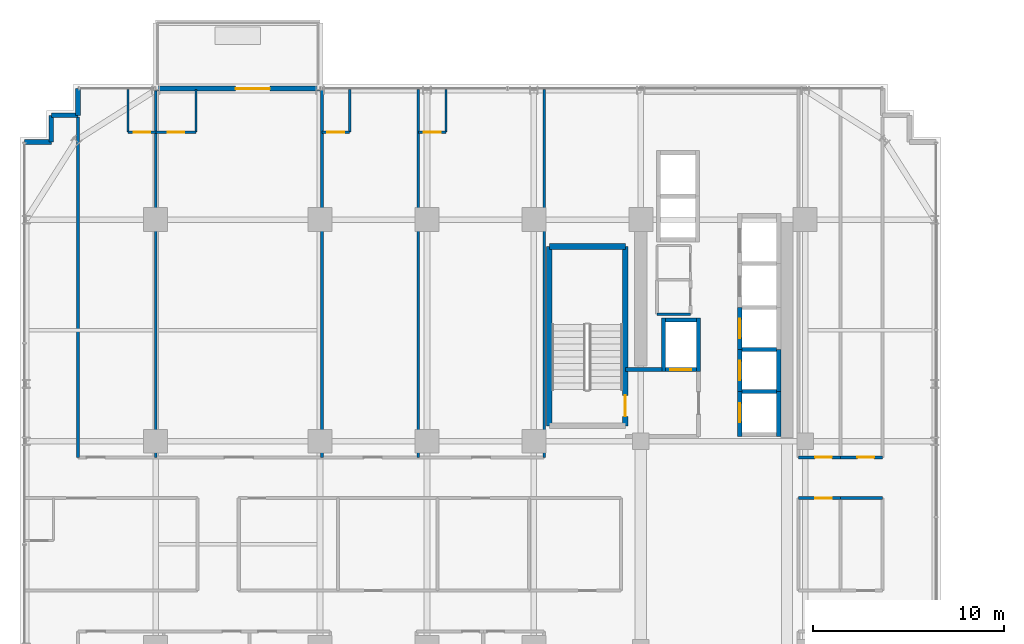
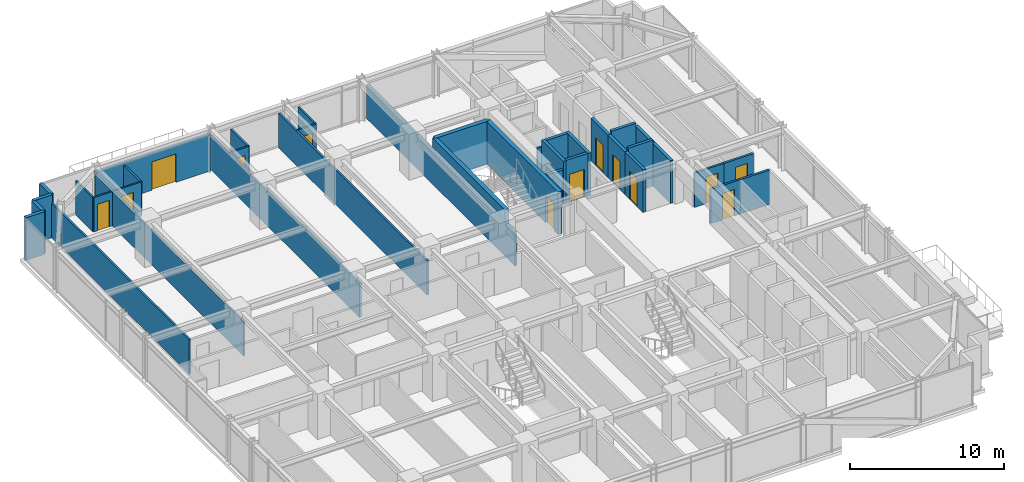
# One storey, part 29 of 34: 38 walls, 13 doors, 13 openings.
"""IFC4 building model written with IfcOpenShell, lengths in metres."""

from ifc_helpers import new_model, si_unit, direction, frame, frame_2d, origin, place, context, subcontext, project, spatial, rectangle, extrude, source, transform, mapped, material, layer, layer_set, type_object, element, fill, save


model = new_model("IFC4")

# Units and contexts
model_context = context("Model", 3, precision=1e-05, world=origin(), true_north=direction((0.0, 1.0)))
body_context = subcontext(model_context, "Body", "Model", "MODEL_VIEW")
ifc_project = project(units=[si_unit("LENGTHUNIT", "METRE"), si_unit("AREAUNIT", "SQUARE_METRE"), si_unit("VOLUMEUNIT", "CUBIC_METRE"), si_unit("PLANEANGLEUNIT", "RADIAN"), si_unit("MASSUNIT", "GRAM", prefix="KILO")], contexts=[model_context])

# Site, building, storey
site_placement = place(None, origin())
site = spatial("IfcSite", under=ifc_project, at=site_placement, CompositionType="ELEMENT")
building_placement = place(site_placement, origin())
building = spatial("IfcBuilding", under=site, at=building_placement, Name="Nahalor Promenade Grand Hotel", CompositionType="ELEMENT")
storey_placement = place(building_placement, frame((0.0, 0.0, 128.449951171875)))
storey = spatial("IfcBuildingStorey", under=building, at=storey_placement, Name="L32", CompositionType="ELEMENT", Elevation=128.449951171875)

# Walls
ifc_material_1 = material(Name="Concrete B-50 (C40/50)", Category="concrete")
ifc_layer_1 = layer(ifc_material_1, 0.300048828125)
ifc_layer_set_1 = layer_set([ifc_layer_1], Name="Concrete B-50 (C40/50)")
wall_type_1 = type_object("IfcWallType", Name="Wall-ShaftShear-300", PredefinedType="SHEAR", material=ifc_layer_set_1)
shared_shape_1 = source(origin(), body_context, "Body", "SweptSolid", [
    extrude(rectangle(XDim=3.97998046875, YDim=0.300048828125, at=frame_2d((1.989990234375, 0.0))), origin(), (0.0, 0.0, 1.0), 3.380126953125),
])
wall_1_placement = place(storey_placement, frame((3.610107421875, 15.590087890625, 0.0), z_axis=(0.0, 0.0, 1.0), x_axis=(1.0, 0.0, 0.0)))
element("IfcWall", 1, at=wall_1_placement, inside=storey, type_object=wall_type_1, Name="L32 Exit Stair ST1 Shaft Wall N", PredefinedType="SHEAR", context=body_context, shape_type="MappedRepresentation", body=[
    mapped(shared_shape_1, transform((0.0, 0.0, 0.0), scale=1.0)),
])
shared_shape_2 = source(origin(), body_context, "Body", "SweptSolid", [
    extrude(rectangle(XDim=9.380126953125, YDim=0.300048828125, at=frame_2d((4.68994140625, 0.0))), origin(), (0.0, 0.0, 1.0), 3.380126953125),
])
wall_2_placement = place(storey_placement, frame((3.610107421875, 6.2099609375, 0.0), z_axis=(0.0, 0.0, 1.0), x_axis=(0.0, 1.0, 0.0)))
element("IfcWall", 2, at=wall_2_placement, inside=storey, type_object=wall_type_1, Name="L32 Exit Stair ST1 Shaft Wall W", PredefinedType="SHEAR", context=body_context, shape_type="MappedRepresentation", body=[
    mapped(shared_shape_2, transform((0.0, 0.0, 0.0), scale=1.0)),
])

# Wall, opening, door
wall_3_placement = place(storey_placement, frame((7.590087890625, 6.2099609375, 0.0), z_axis=(0.0, 0.0, 1.0), x_axis=(0.0, 1.0, 0.0)))
wall_3 = element("IfcWall", 3, at=wall_3_placement, inside=storey, type_object=wall_type_1, Name="L32 Exit Stair ST1 Shaft Wall E", PredefinedType="SHEAR", context=body_context, shape_type="MappedRepresentation", body=[
    mapped(shared_shape_2, transform((0.0, 0.0, 0.0), scale=1.0)),
])
opening_1_placement = place(wall_3_placement, frame((0.489990234375, 0.0, 0.0)))
opening_1 = element("IfcOpeningElement", 4, at=opening_1_placement, cuts=wall_3, Name="Opening D-ST1", PredefinedType="OPENING", context=body_context, shape_type="SweptSolid", body=[
    extrude(rectangle(XDim=1.10009765625, YDim=2.14990234375, at=frame_2d((0.550048828125, 1.074951171875))), frame((0.0, 0.159912109375, 0.0), z_axis=(0.0, -1.0, 0.0), x_axis=(1.0, 0.0, 0.0)), (0.0, 0.0, 1.0), 0.320068359375),
])
ifc_material_2 = material(Name="Steel S355JR", Category="steel")
door_type_1 = type_object("IfcDoorType", Name="Door-StairFire-1100", OperationType="NOTDEFINED", PredefinedType="DOOR", material=ifc_material_2)
shared_shape_3 = source(origin(), body_context, "Body", "SweptSolid", [
    extrude(rectangle(XDim=1.10009765625, YDim=2.14990234375, at=frame_2d((0.550048828125, 1.074951171875))), frame((0.0, 0.02490234375, 0.0), z_axis=(0.0, -1.0, 0.0), x_axis=(1.0, 0.0, 0.0)), (0.0, 0.0, 1.0), 0.050048828125),
])
door_1_placement = place(opening_1_placement, origin())
door_1 = element("IfcDoor", 5, at=door_1_placement, inside=storey, type_object=door_type_1, Name="DR-STAIR-ST1-L32", OperationType="SINGLE_SWING_LEFT", OverallHeight=2.14990234375, OverallWidth=1.10009765625, PredefinedType="DOOR", context=body_context, shape_type="MappedRepresentation", body=[
    mapped(shared_shape_3, transform((0.0, 0.0, 0.0), scale=1.0)),
])
fill(opening_1, door_1)

# Walls
ifc_layer_2 = layer(ifc_material_1, 0.219970703125)
ifc_layer_set_2 = layer_set([ifc_layer_2], Name="Concrete B-50 (C40/50)")
wall_type_2 = type_object("IfcWallType", Name="Wall-LiftShaft-220", PredefinedType="SHEAR", material=ifc_layer_set_2)
shared_shape_4 = source(origin(), body_context, "Body", "SweptSolid", [
    extrude(rectangle(XDim=1.820068359375, YDim=0.219970703125, at=frame_2d((0.91015625, 0.0))), origin(), (0.0, 0.0, 1.0), 3.650146484375),
])
for number, where, z_axis, x_axis, name in (
    (6, (13.68994140625, 8.0, 0.0), (0.0, 0.0, 1.0), (1.0, 0.0, 0.0), "L32 Lift PL1 Hoistway Wall N"),
    (7, (13.68994140625, 10.199951171875, 0.0), (0.0, 0.0, 1.0), (1.0, 0.0, 0.0), "L32 Lift PL2 Hoistway Wall N"),
):
    element("IfcWall", number, at=place(storey_placement, frame(where, z_axis=z_axis, x_axis=x_axis)), inside=storey, type_object=wall_type_2, Name=name, PredefinedType="SHEAR", context=body_context, shape_type="MappedRepresentation", body=[
        mapped(shared_shape_4, transform((0.0, 0.0, 0.0), scale=1.0)),
    ])

# Wall, opening, door
shared_shape_5 = source(origin(), body_context, "Body", "SweptSolid", [
    extrude(rectangle(XDim=2.360107421875, YDim=0.219970703125, at=frame_2d((1.18017578125, 0.0))), origin(), (0.0, 0.0, 1.0), 3.380126953125),
])
wall_4_placement = place(storey_placement, frame((13.580078125, 5.639892578125, 0.0), z_axis=(0.0, 0.0, 1.0), x_axis=(0.0, 1.0, 0.0)))
wall_4 = element("IfcWall", 8, at=wall_4_placement, inside=storey, type_object=wall_type_2, Name="L32 Lift PL1 Hoistway Wall W", PredefinedType="SHEAR", context=body_context, shape_type="MappedRepresentation", body=[
    mapped(shared_shape_5, transform((0.0, 0.0, 0.0), scale=1.0)),
])
opening_2_placement = place(wall_4_placement, frame((0.760009765625, 0.0, 0.0)))
opening_2 = element("IfcOpeningElement", 9, at=opening_2_placement, cuts=wall_4, Name="Opening LD-01", PredefinedType="OPENING", context=body_context, shape_type="SweptSolid", body=[
    extrude(rectangle(XDim=1.0, YDim=2.199951171875, at=frame_2d((0.5, 1.10009765625))), frame((0.0, 0.119873046875, 0.0), z_axis=(0.0, -1.0, 0.0), x_axis=(1.0, 0.0, 0.0)), (0.0, 0.0, 1.0), 0.239990234375),
])
door_type_2 = type_object("IfcDoorType", Name="Door-LiftLanding-1000", OperationType="DOUBLE_DOOR_SLIDING", PredefinedType="DOOR", material=ifc_material_2)
shared_shape_6 = source(origin(), body_context, "Body", "SweptSolid", [
    extrude(rectangle(XDim=1.0, YDim=2.199951171875, at=frame_2d((0.5, 1.10009765625))), frame((0.0, 0.02490234375, 0.0), z_axis=(0.0, -1.0, 0.0), x_axis=(1.0, 0.0, 0.0)), (0.0, 0.0, 1.0), 0.050048828125),
])
door_2_placement = place(opening_2_placement, origin())
door_2 = element("IfcDoor", 10, at=door_2_placement, inside=storey, type_object=door_type_2, Name="DR-LIFT-PL1-L32", OperationType="DOUBLE_DOOR_SLIDING", OverallHeight=2.199951171875, OverallWidth=1.0, PredefinedType="DOOR", context=body_context, shape_type="MappedRepresentation", body=[
    mapped(shared_shape_6, transform((0.0, 0.0, 0.0), scale=1.0)),
])
fill(opening_2, door_2)

# Wall
wall_5_placement = place(storey_placement, frame((15.6201171875, 5.639892578125, 0.0), z_axis=(0.0, 0.0, 1.0), x_axis=(0.0, 1.0, 0.0)))
element("IfcWall", 11, at=wall_5_placement, inside=storey, type_object=wall_type_2, Name="L32 Lift PL1 Hoistway Wall E", PredefinedType="SHEAR", context=body_context, shape_type="MappedRepresentation", body=[
    mapped(shared_shape_5, transform((0.0, 0.0, 0.0), scale=1.0)),
])

# Wall, opening, door
shared_shape_7 = source(origin(), body_context, "Body", "SweptSolid", [
    extrude(rectangle(XDim=2.199951171875, YDim=0.219970703125, at=frame_2d((1.10009765625, 0.0))), origin(), (0.0, 0.0, 1.0), 3.380126953125),
])
wall_6_placement = place(storey_placement, frame((13.580078125, 8.0, 0.0), z_axis=(0.0, 0.0, 1.0), x_axis=(0.0, 1.0, 0.0)))
wall_6 = element("IfcWall", 12, at=wall_6_placement, inside=storey, type_object=wall_type_2, Name="L32 Lift PL2 Hoistway Wall W", PredefinedType="SHEAR", context=body_context, shape_type="MappedRepresentation", body=[
    mapped(shared_shape_7, transform((0.0, 0.0, 0.0), scale=1.0)),
])
opening_3_placement = place(wall_6_placement, frame((0.60009765625, 0.0, 0.0)))
opening_3 = element("IfcOpeningElement", 13, at=opening_3_placement, cuts=wall_6, Name="Opening LD-01", PredefinedType="OPENING", context=body_context, shape_type="SweptSolid", body=[
    extrude(rectangle(XDim=1.0, YDim=2.199951171875, at=frame_2d((0.5, 1.10009765625))), frame((0.0, 0.119873046875, 0.0), z_axis=(0.0, -1.0, 0.0), x_axis=(1.0, 0.0, 0.0)), (0.0, 0.0, 1.0), 0.239990234375),
])
door_3_placement = place(opening_3_placement, origin())
door_3 = element("IfcDoor", 14, at=door_3_placement, inside=storey, type_object=door_type_2, Name="DR-LIFT-PL2-L32", OperationType="DOUBLE_DOOR_SLIDING", OverallHeight=2.199951171875, OverallWidth=1.0, PredefinedType="DOOR", context=body_context, shape_type="MappedRepresentation", body=[
    mapped(shared_shape_6, transform((0.0, 0.0, 0.0), scale=1.0)),
])
fill(opening_3, door_3)

# Wall
wall_7_placement = place(storey_placement, frame((15.6201171875, 8.0, 0.0), z_axis=(0.0, 0.0, 1.0), x_axis=(0.0, 1.0, 0.0)))
element("IfcWall", 15, at=wall_7_placement, inside=storey, type_object=wall_type_2, Name="L32 Lift PL2 Hoistway Wall E", PredefinedType="SHEAR", context=body_context, shape_type="MappedRepresentation", body=[
    mapped(shared_shape_7, transform((0.0, 0.0, 0.0), scale=1.0)),
])

# Wall, opening, door
wall_8_placement = place(storey_placement, frame((13.580078125, 10.199951171875, 0.0), z_axis=(0.0, 0.0, 1.0), x_axis=(0.0, 1.0, 0.0)))
wall_8 = element("IfcWall", 16, at=wall_8_placement, inside=storey, type_object=wall_type_2, Name="L32 Lift PL3 Hoistway Wall W", PredefinedType="SHEAR", context=body_context, shape_type="MappedRepresentation", body=[
    mapped(shared_shape_7, transform((0.0, 0.0, 0.0), scale=1.0)),
])
opening_4_placement = place(wall_8_placement, frame((0.60009765625, 0.0, 0.0)))
opening_4 = element("IfcOpeningElement", 17, at=opening_4_placement, cuts=wall_8, Name="Opening LD-01", PredefinedType="OPENING", context=body_context, shape_type="SweptSolid", body=[
    extrude(rectangle(XDim=1.0, YDim=2.199951171875, at=frame_2d((0.5, 1.10009765625))), frame((0.0, 0.119873046875, 0.0), z_axis=(0.0, -1.0, 0.0), x_axis=(1.0, 0.0, 0.0)), (0.0, 0.0, 1.0), 0.239990234375),
])
door_4_placement = place(opening_4_placement, origin())
door_4 = element("IfcDoor", 18, at=door_4_placement, inside=storey, type_object=door_type_2, Name="DR-LIFT-PL3-L32", OperationType="DOUBLE_DOOR_SLIDING", OverallHeight=2.199951171875, OverallWidth=1.0, PredefinedType="DOOR", context=body_context, shape_type="MappedRepresentation", body=[
    mapped(shared_shape_6, transform((0.0, 0.0, 0.0), scale=1.0)),
])
fill(opening_4, door_4)

# Walls
shared_shape_8 = source(origin(), body_context, "Body", "SweptSolid", [
    extrude(rectangle(XDim=2.820068359375, YDim=0.219970703125, at=frame_2d((1.41015625, 0.0))), origin(), (0.0, 0.0, 1.0), 3.380126953125),
])
for number, where, z_axis, x_axis, name in (
    (19, (9.580078125, 9.0400390625, 0.0), (0.0, 0.0, 1.0), (0.0, 1.0, 0.0), "L32 Lift FL1 Hoistway Wall W"),
    (20, (11.419921875, 9.0400390625, 0.0), (0.0, 0.0, 1.0), (0.0, 1.0, 0.0), "L32 Lift FL1 Hoistway Wall E"),
):
    element("IfcWall", number, at=place(storey_placement, frame(where, z_axis=z_axis, x_axis=x_axis)), inside=storey, type_object=wall_type_2, Name=name, PredefinedType="SHEAR", context=body_context, shape_type="MappedRepresentation", body=[
        mapped(shared_shape_8, transform((0.0, 0.0, 0.0), scale=1.0)),
    ])

# Wall, opening, door
shared_shape_9 = source(origin(), body_context, "Body", "SweptSolid", [
    extrude(rectangle(XDim=1.6201171875, YDim=0.219970703125, at=frame_2d((0.81005859375, 0.0))), origin(), (0.0, 0.0, 1.0), 3.380126953125),
])
wall_9_placement = place(storey_placement, frame((9.68994140625, 9.14990234375, 0.0), z_axis=(0.0, 0.0, 1.0), x_axis=(1.0, 0.0, 0.0)))
wall_9 = element("IfcWall", 21, at=wall_9_placement, inside=storey, type_object=wall_type_2, Name="L32 Lift FL1 Hoistway Wall S", PredefinedType="SHEAR", context=body_context, shape_type="MappedRepresentation", body=[
    mapped(shared_shape_9, transform((0.0, 0.0, 0.0), scale=1.0)),
])
opening_5_placement = place(wall_9_placement, frame((0.260009765625, 0.0, 0.0)))
opening_5 = element("IfcOpeningElement", 22, at=opening_5_placement, cuts=wall_9, Name="Opening LD-02", PredefinedType="OPENING", context=body_context, shape_type="SweptSolid", body=[
    extrude(rectangle(XDim=1.10009765625, YDim=2.199951171875, at=frame_2d((0.550048828125, 1.10009765625))), frame((0.0, 0.119873046875, 0.0), z_axis=(0.0, -1.0, 0.0), x_axis=(1.0, 0.0, 0.0)), (0.0, 0.0, 1.0), 0.239990234375),
])
door_type_3 = type_object("IfcDoorType", Name="Door-LiftFF-1100", OperationType="DOUBLE_DOOR_SLIDING", PredefinedType="DOOR", material=ifc_material_2)
shared_shape_10 = source(origin(), body_context, "Body", "SweptSolid", [
    extrude(rectangle(XDim=1.10009765625, YDim=2.199951171875, at=frame_2d((0.550048828125, 1.10009765625))), frame((0.0, 0.02490234375, 0.0), z_axis=(0.0, -1.0, 0.0), x_axis=(1.0, 0.0, 0.0)), (0.0, 0.0, 1.0), 0.050048828125),
])
door_5_placement = place(opening_5_placement, frame((1.10009765625, 0.0, 0.0), z_axis=(0.0, 0.0, 1.0), x_axis=(-1.0, 0.0, 0.0)))
door_5 = element("IfcDoor", 23, at=door_5_placement, inside=storey, type_object=door_type_3, Name="DR-LIFT-FL1-L32", OperationType="DOUBLE_DOOR_SLIDING", OverallHeight=2.199951171875, OverallWidth=1.10009765625, PredefinedType="DOOR", context=body_context, shape_type="MappedRepresentation", body=[
    mapped(shared_shape_10, transform((0.0, 0.0, 0.0), scale=1.0)),
])
fill(opening_5, door_5)

# Walls
wall_10_placement = place(storey_placement, frame((9.68994140625, 11.75, 0.0), z_axis=(0.0, 0.0, 1.0), x_axis=(1.0, 0.0, 0.0)))
element("IfcWall", 24, at=wall_10_placement, inside=storey, type_object=wall_type_2, Name="L32 Lift FL1 Hoistway Wall N", PredefinedType="SHEAR", context=body_context, shape_type="MappedRepresentation", body=[
    mapped(shared_shape_9, transform((0.0, 0.0, 0.0), scale=1.0)),
])
ifc_material_3 = material(Name="Concrete B-40 (C32/40)", Category="concrete")
ifc_layer_3 = layer(ifc_material_3, 0.25)
ifc_layer_set_3 = layer_set([ifc_layer_3], Name="Concrete B-40 (C32/40)")
wall_type_3 = type_object("IfcWallType", Name="Wall-BronzePier-250", PredefinedType="STANDARD", material=ifc_layer_set_3)
shared_shape_11 = source(origin(), body_context, "Body", "SweptSolid", [
    extrude(rectangle(XDim=1.400146484375, YDim=0.25, at=frame_2d((0.7001953125, 0.0))), origin(), (0.0, 0.0, 1.0), 3.380126953125),
])
for number, where, z_axis, x_axis, name in (
    (25, (-21.06005859375, 22.4599609375, 0.0), (0.0, 0.0, 1.0), (0.0, 1.0, 0.0), "W-L32-SR-09"),
    (26, (-23.860107421875, 21.06005859375, 0.0), (0.0, 0.0, 1.0), (1.0, 0.0, 0.0), "W-L32-SR-12"),
):
    element("IfcWall", number, at=place(storey_placement, frame(where, z_axis=z_axis, x_axis=x_axis)), inside=storey, type_object=wall_type_3, Name=name, PredefinedType="STANDARD", context=body_context, shape_type="MappedRepresentation", body=[
        mapped(shared_shape_11, transform((0.0, 0.0, 0.0), scale=1.0)),
    ])
shared_shape_12 = source(origin(), body_context, "Body", "SweptSolid", [
    extrude(rectangle(XDim=1.39990234375, YDim=0.25, at=frame_2d((0.699951171875, 0.0))), origin(), (0.0, 0.0, 1.0), 3.380126953125),
])
for number, where, z_axis, x_axis, name in (
    (27, (-22.4599609375, 22.4599609375, 0.0), (0.0, 0.0, 1.0), (1.0, 0.0, 0.0), "W-L32-SR-10"),
    (28, (-22.4599609375, 21.06005859375, 0.0), (0.0, 0.0, 1.0), (0.0, 1.0, 0.0), "W-L32-SR-11"),
):
    element("IfcWall", number, at=place(storey_placement, frame(where, z_axis=z_axis, x_axis=x_axis)), inside=storey, type_object=wall_type_3, Name=name, PredefinedType="STANDARD", context=body_context, shape_type="MappedRepresentation", body=[
        mapped(shared_shape_12, transform((0.0, 0.0, 0.0), scale=1.0)),
    ])

# Wall, opening, door
ifc_layer_4 = layer(ifc_material_3, 0.260009765625)
ifc_layer_set_4 = layer_set([ifc_layer_4], Name="Concrete B-40 (C32/40)")
wall_type_4 = type_object("IfcWallType", Name="Wall-BalconyWall-260", PredefinedType="STANDARD", material=ifc_layer_set_4)
shared_shape_13 = source(origin(), body_context, "Body", "SweptSolid", [
    extrude(rectangle(XDim=8.60009765625, YDim=0.260009765625, at=frame_2d((4.300048828125, 0.0))), origin(), (0.0, 0.0, 1.0), 2.860107421875),
])
wall_11_placement = place(storey_placement, frame((-17.0, 23.860107421875, 0.0), z_axis=(0.0, 0.0, 1.0), x_axis=(1.0, 0.0, 0.0)))
wall_11 = element("IfcWall", 29, at=wall_11_placement, inside=storey, type_object=wall_type_4, Name="W-L32-BALC-N-2", PredefinedType="STANDARD", context=body_context, shape_type="MappedRepresentation", body=[
    mapped(shared_shape_13, transform((0.0, 0.0, 0.0), scale=1.0)),
])
opening_6_placement = place(wall_11_placement, frame((4.18408203125, 0.0, 0.0)))
opening_6 = element("IfcOpeningElement", 30, at=opening_6_placement, cuts=wall_11, Name="Opening D-BC1", PredefinedType="OPENING", context=body_context, shape_type="SweptSolid", body=[
    extrude(rectangle(XDim=1.800048828125, YDim=2.25, at=frame_2d((0.89990234375, 1.125))), frame((0.0, 0.139892578125, 0.0), z_axis=(0.0, -1.0, 0.0), x_axis=(1.0, 0.0, 0.0)), (0.0, 0.0, 1.0), 0.280029296875),
])
ifc_material_4 = material(Name="Anodised Bronze Aluminium EN AW-6063 T6", Category="aluminium")
door_type_4 = type_object("IfcDoorType", Name="Door-BalconySlide-1800", OperationType="DOUBLE_DOOR_SLIDING", PredefinedType="DOOR", material=ifc_material_4)
shared_shape_14 = source(origin(), body_context, "Body", "SweptSolid", [
    extrude(rectangle(XDim=1.800048828125, YDim=2.25, at=frame_2d((0.89990234375, 1.125))), frame((0.0, 0.02490234375, 0.0), z_axis=(0.0, -1.0, 0.0), x_axis=(1.0, 0.0, 0.0)), (0.0, 0.0, 1.0), 0.050048828125),
])
door_6_placement = place(opening_6_placement, origin())
door_6 = element("IfcDoor", 31, at=door_6_placement, inside=storey, type_object=door_type_4, Name="DR-L32-BALC-N-2", OperationType="DOUBLE_DOOR_SLIDING", OverallHeight=2.25, OverallWidth=1.800048828125, PredefinedType="DOOR", context=body_context, shape_type="MappedRepresentation", body=[
    mapped(shared_shape_14, transform((0.0, 0.0, 0.0), scale=1.0)),
])
fill(opening_6, door_6)

# Walls
ifc_layer_5 = layer(ifc_material_3, 0.199951171875)
ifc_layer_set_5 = layer_set([ifc_layer_5], Name="Concrete B-40 (C32/40)")
wall_type_5 = type_object("IfcWallType", Name="Wall-PartFire-200", PredefinedType="PARTITIONING", material=ifc_layer_set_5)
shared_shape_15 = source(origin(), body_context, "Body", "SweptSolid", [
    extrude(rectangle(XDim=1.89990234375, YDim=0.199951171875, at=frame_2d((0.949951171875, 0.0))), origin(), (0.0, 0.0, 1.0), 2.719970703125),
])
wall_12_placement = place(storey_placement, frame((7.60009765625, 9.14990234375, 0.0), z_axis=(0.0, 0.0, 1.0), x_axis=(1.0, 0.0, 0.0)))
element("IfcWall", 32, at=wall_12_placement, inside=storey, type_object=wall_type_5, Name="W-L32-FF1-N", PredefinedType="PARTITIONING", context=body_context, shape_type="MappedRepresentation", body=[
    mapped(shared_shape_15, transform((0.0, 0.0, 0.0), scale=1.0)),
])
ifc_material_5 = material(Name="Acoustic Mineral Gypsum", Category="gypsum")
ifc_layer_6 = layer(ifc_material_5, 0.14990234375)
ifc_layer_set_6 = layer_set([ifc_layer_6], Name="Acoustic Mineral Gypsum")
wall_type_6 = type_object("IfcWallType", Name="Wall-PartService-150", PredefinedType="PARTITIONING", material=ifc_layer_set_6)
shared_shape_16 = source(origin(), body_context, "Body", "SweptSolid", [
    extrude(rectangle(XDim=1.75, YDim=0.14990234375, at=frame_2d((0.875, 0.0))), origin(), (0.0, 0.0, 1.0), 2.719970703125),
])
wall_13_placement = place(storey_placement, frame((9.25, 12.050048828125, 0.0), z_axis=(0.0, 0.0, 1.0), x_axis=(1.0, 0.0, 0.0)))
element("IfcWall", 33, at=wall_13_placement, inside=storey, type_object=wall_type_6, Name="W-L32-CK2A-S", PredefinedType="PARTITIONING", context=body_context, shape_type="MappedRepresentation", body=[
    mapped(shared_shape_16, transform((0.0, 0.0, 0.0), scale=1.0)),
])
ifc_layer_7 = layer(ifc_material_5, 0.139892578125)
ifc_layer_set_7 = layer_set([ifc_layer_7], Name="Acoustic Mineral Gypsum")
wall_type_7 = type_object("IfcWallType", Name="Wall-PartSuite-140", PredefinedType="PARTITIONING", material=ifc_layer_set_7)
shared_shape_17 = source(origin(), body_context, "Body", "SweptSolid", [
    extrude(rectangle(XDim=17.829833984375, YDim=0.139892578125, at=frame_2d((8.9150390625, 0.0))), origin(), (0.0, 0.0, 1.0), 2.719970703125),
])
wall_14_placement = place(storey_placement, frame((-21.06005859375, 4.550048828125, 0.0), z_axis=(0.0, 0.0, 1.0), x_axis=(0.0, 1.0, 0.0)))
element("IfcWall", 34, at=wall_14_placement, inside=storey, type_object=wall_type_7, Name="W-L32-NW-ENDW", PredefinedType="PARTITIONING", context=body_context, shape_type="MappedRepresentation", body=[
    mapped(shared_shape_17, transform((0.0, 0.0, 0.0), scale=1.0)),
])
shared_shape_18 = source(origin(), body_context, "Body", "SweptSolid", [
    extrude(rectangle(XDim=19.25, YDim=0.139892578125, at=frame_2d((9.625, 0.0))), origin(), (0.0, 0.0, 1.0), 2.719970703125),
])
for number, where, z_axis, x_axis, name in (
    (35, (3.340087890625, 4.550048828125, 0.0), (0.0, 0.0, 1.0), (0.0, 1.0, 0.0), "W-L32-NW-ENDE"),
    (36, (-16.991943359375, 4.550048828125, 0.0), (0.0, 0.0, 1.0), (0.0, 1.0, 0.0), "W-L32-NP-1"),
    (37, (-8.2919921875, 4.550048828125, 0.0), (0.0, 0.0, 1.0), (0.0, 1.0, 0.0), "W-L32-NP-2"),
    (38, (-3.248046875, 4.550048828125, 0.0), (0.0, 0.0, 1.0), (0.0, 1.0, 0.0), "W-L32-NP-3"),
):
    element("IfcWall", number, at=place(storey_placement, frame(where, z_axis=z_axis, x_axis=x_axis)), inside=storey, type_object=wall_type_7, Name=name, PredefinedType="PARTITIONING", context=body_context, shape_type="MappedRepresentation", body=[
        mapped(shared_shape_18, transform((0.0, 0.0, 0.0), scale=1.0)),
    ])
ifc_layer_8 = layer(ifc_material_5, 0.1201171875)
ifc_layer_set_8 = layer_set([ifc_layer_8], Name="Acoustic Mineral Gypsum")
wall_type_8 = type_object("IfcWallType", Name="Wall-PartBath-120", PredefinedType="PARTITIONING", material=ifc_layer_set_8)
shared_shape_19 = source(origin(), body_context, "Body", "SweptSolid", [
    extrude(rectangle(XDim=2.219970703125, YDim=0.1201171875, at=frame_2d((1.10986328125, 0.0))), origin(), (0.0, 0.0, 1.0), 2.719970703125),
])
for number, where, z_axis, x_axis, name in (
    (39, (-18.44189453125, 21.580078125, 0.0), (0.0, 0.0, 1.0), (0.0, 1.0, 0.0), "W-L32-N1-BV"),
    (40, (-14.882080078125, 21.580078125, 0.0), (0.0, 0.0, 1.0), (0.0, 1.0, 0.0), "W-L32-N2-BV"),
    (41, (-6.842041015625, 21.580078125, 0.0), (0.0, 0.0, 1.0), (0.0, 1.0, 0.0), "W-L32-N3-BV"),
    (42, (-1.798095703125, 21.580078125, 0.0), (0.0, 0.0, 1.0), (0.0, 1.0, 0.0), "W-L32-N4-BV"),
):
    element("IfcWall", number, at=place(storey_placement, frame(where, z_axis=z_axis, x_axis=x_axis)), inside=storey, type_object=wall_type_8, Name=name, PredefinedType="PARTITIONING", context=body_context, shape_type="MappedRepresentation", body=[
        mapped(shared_shape_19, transform((0.0, 0.0, 0.0), scale=1.0)),
    ])

# Wall, opening, door
shared_shape_20 = source(origin(), body_context, "Body", "SweptSolid", [
    extrude(rectangle(XDim=1.449951171875, YDim=0.1201171875, at=frame_2d((0.72509765625, 0.0))), origin(), (0.0, 0.0, 1.0), 2.719970703125),
])
wall_15_placement = place(storey_placement, frame((-18.44189453125, 21.580078125, 0.0), z_axis=(0.0, 0.0, 1.0), x_axis=(1.0, 0.0, 0.0)))
wall_15 = element("IfcWall", 43, at=wall_15_placement, inside=storey, type_object=wall_type_8, Name="W-L32-N1-BH", PredefinedType="PARTITIONING", context=body_context, shape_type="MappedRepresentation", body=[
    mapped(shared_shape_20, transform((0.0, 0.0, 0.0), scale=1.0)),
])
opening_7_placement = place(wall_15_placement, frame((0.284912109375, 0.0, 0.0)))
opening_7 = element("IfcOpeningElement", 44, at=opening_7_placement, cuts=wall_15, Name="Opening D-03", PredefinedType="OPENING", context=body_context, shape_type="SweptSolid", body=[
    extrude(rectangle(XDim=0.8798828125, YDim=2.10009765625, at=frame_2d((0.43994140625, 1.050048828125))), frame((0.0, 0.070068359375, 0.0), z_axis=(0.0, -1.0, 0.0), x_axis=(1.0, 0.0, 0.0)), (0.0, 0.0, 1.0), 0.14013671875),
])
ifc_material_6 = material(Name="Fire-Rated Timber Composite", Category="wood")
door_type_5 = type_object("IfcDoorType", Name="Door-BathSwing-880", OperationType="NOTDEFINED", PredefinedType="DOOR", material=ifc_material_6)
shared_shape_21 = source(origin(), body_context, "Body", "SweptSolid", [
    extrude(rectangle(XDim=0.8798828125, YDim=2.10009765625, at=frame_2d((0.43994140625, 1.050048828125))), frame((0.0, 0.02490234375, 0.0), z_axis=(0.0, -1.0, 0.0), x_axis=(1.0, 0.0, 0.0)), (0.0, 0.0, 1.0), 0.050048828125),
])
door_7_placement = place(opening_7_placement, origin())
door_7 = element("IfcDoor", 45, at=door_7_placement, inside=storey, type_object=door_type_5, Name="DR-L32-N1-BATH", OperationType="SINGLE_SWING_RIGHT", OverallHeight=2.10009765625, OverallWidth=0.8798828125, PredefinedType="DOOR", context=body_context, shape_type="MappedRepresentation", body=[
    mapped(shared_shape_21, transform((0.0, 0.0, 0.0), scale=1.0)),
])
fill(opening_7, door_7)

wall_16_placement = place(storey_placement, frame((-8.2919921875, 21.580078125, 0.0), z_axis=(0.0, 0.0, 1.0), x_axis=(1.0, 0.0, 0.0)))
wall_16 = element("IfcWall", 46, at=wall_16_placement, inside=storey, type_object=wall_type_8, Name="W-L32-N3-BH", PredefinedType="PARTITIONING", context=body_context, shape_type="MappedRepresentation", body=[
    mapped(shared_shape_20, transform((0.0, 0.0, 0.0), scale=1.0)),
])
opening_8_placement = place(wall_16_placement, frame((0.284912109375, 0.0, 0.0)))
opening_8 = element("IfcOpeningElement", 47, at=opening_8_placement, cuts=wall_16, Name="Opening D-03", PredefinedType="OPENING", context=body_context, shape_type="SweptSolid", body=[
    extrude(rectangle(XDim=0.8798828125, YDim=2.10009765625, at=frame_2d((0.43994140625, 1.050048828125))), frame((0.0, 0.070068359375, 0.0), z_axis=(0.0, -1.0, 0.0), x_axis=(1.0, 0.0, 0.0)), (0.0, 0.0, 1.0), 0.14013671875),
])
door_8_placement = place(opening_8_placement, origin())
door_8 = element("IfcDoor", 48, at=door_8_placement, inside=storey, type_object=door_type_5, Name="DR-L32-N3-BATH", OperationType="SINGLE_SWING_LEFT", OverallHeight=2.10009765625, OverallWidth=0.8798828125, PredefinedType="DOOR", context=body_context, shape_type="MappedRepresentation", body=[
    mapped(shared_shape_21, transform((0.0, 0.0, 0.0), scale=1.0)),
])
fill(opening_8, door_8)

wall_17_placement = place(storey_placement, frame((-3.248046875, 21.580078125, 0.0), z_axis=(0.0, 0.0, 1.0), x_axis=(1.0, 0.0, 0.0)))
wall_17 = element("IfcWall", 49, at=wall_17_placement, inside=storey, type_object=wall_type_8, Name="W-L32-N4-BH", PredefinedType="PARTITIONING", context=body_context, shape_type="MappedRepresentation", body=[
    mapped(shared_shape_20, transform((0.0, 0.0, 0.0), scale=1.0)),
])
opening_9_placement = place(wall_17_placement, frame((0.284912109375, 0.0, 0.0)))
opening_9 = element("IfcOpeningElement", 50, at=opening_9_placement, cuts=wall_17, Name="Opening D-03", PredefinedType="OPENING", context=body_context, shape_type="SweptSolid", body=[
    extrude(rectangle(XDim=0.8798828125, YDim=2.10009765625, at=frame_2d((0.43994140625, 1.050048828125))), frame((0.0, 0.070068359375, 0.0), z_axis=(0.0, -1.0, 0.0), x_axis=(1.0, 0.0, 0.0)), (0.0, 0.0, 1.0), 0.14013671875),
])
door_9_placement = place(opening_9_placement, origin())
door_9 = element("IfcDoor", 51, at=door_9_placement, inside=storey, type_object=door_type_5, Name="DR-L32-N4-BATH", OperationType="SINGLE_SWING_LEFT", OverallHeight=2.10009765625, OverallWidth=0.8798828125, PredefinedType="DOOR", context=body_context, shape_type="MappedRepresentation", body=[
    mapped(shared_shape_21, transform((0.0, 0.0, 0.0), scale=1.0)),
])
fill(opening_9, door_9)

ifc_layer_9 = layer(ifc_material_5, 0.159912109375)
ifc_layer_set_9 = layer_set([ifc_layer_9], Name="Acoustic Mineral Gypsum")
wall_type_9 = type_object("IfcWallType", Name="Wall-PartCorridor-160", PredefinedType="PARTITIONING", material=ifc_layer_set_9)
shared_shape_22 = source(origin(), body_context, "Body", "SweptSolid", [
    extrude(rectangle(XDim=2.205078125, YDim=0.159912109375, at=frame_2d((1.1025390625, 0.0))), origin(), (0.0, 0.0, 1.0), 2.719970703125),
])
wall_18_placement = place(storey_placement, frame((16.64990234375, 4.550048828125, 0.0), z_axis=(0.0, 0.0, 1.0), x_axis=(1.0, 0.0, 0.0)))
wall_18 = element("IfcWall", 52, at=wall_18_placement, inside=storey, type_object=wall_type_9, Name="W-L32-ENE1-S", PredefinedType="PARTITIONING", context=body_context, shape_type="MappedRepresentation", body=[
    mapped(shared_shape_22, transform((0.0, 0.0, 0.0), scale=1.0)),
])
opening_10_placement = place(wall_18_placement, frame((0.875, 0.0, 0.0)))
opening_10 = element("IfcOpeningElement", 53, at=opening_10_placement, cuts=wall_18, Name="Opening D-03", PredefinedType="OPENING", context=body_context, shape_type="SweptSolid", body=[
    extrude(rectangle(XDim=0.8798828125, YDim=2.10009765625, at=frame_2d((0.43994140625, 1.050048828125))), frame((0.0, 0.08984375, 0.0), z_axis=(0.0, -1.0, 0.0), x_axis=(1.0, 0.0, 0.0)), (0.0, 0.0, 1.0), 0.179931640625),
])
door_10_placement = place(opening_10_placement, origin())
door_10 = element("IfcDoor", 54, at=door_10_placement, inside=storey, type_object=door_type_5, Name="DR-L32-ENE1", OperationType="SINGLE_SWING_RIGHT", OverallHeight=2.10009765625, OverallWidth=0.8798828125, PredefinedType="DOOR", context=body_context, shape_type="MappedRepresentation", body=[
    mapped(shared_shape_21, transform((0.0, 0.0, 0.0), scale=1.0)),
])
fill(opening_10, door_10)

wall_19_placement = place(storey_placement, frame((18.85498046875, 4.550048828125, 0.0), z_axis=(0.0, 0.0, 1.0), x_axis=(1.0, 0.0, 0.0)))
wall_19 = element("IfcWall", 55, at=wall_19_placement, inside=storey, type_object=wall_type_9, Name="W-L32-ENE2-S", PredefinedType="PARTITIONING", context=body_context, shape_type="MappedRepresentation", body=[
    mapped(shared_shape_22, transform((0.0, 0.0, 0.0), scale=1.0)),
])
opening_11_placement = place(wall_19_placement, frame((0.875, 0.0, 0.0)))
opening_11 = element("IfcOpeningElement", 56, at=opening_11_placement, cuts=wall_19, Name="Opening D-03", PredefinedType="OPENING", context=body_context, shape_type="SweptSolid", body=[
    extrude(rectangle(XDim=0.8798828125, YDim=2.10009765625, at=frame_2d((0.43994140625, 1.050048828125))), frame((0.0, 0.08984375, 0.0), z_axis=(0.0, -1.0, 0.0), x_axis=(1.0, 0.0, 0.0)), (0.0, 0.0, 1.0), 0.179931640625),
])
door_11_placement = place(opening_11_placement, origin())
door_11 = element("IfcDoor", 57, at=door_11_placement, inside=storey, type_object=door_type_5, Name="DR-L32-ENE2", OperationType="SINGLE_SWING_LEFT", OverallHeight=2.10009765625, OverallWidth=0.8798828125, PredefinedType="DOOR", context=body_context, shape_type="MappedRepresentation", body=[
    mapped(shared_shape_21, transform((0.0, 0.0, 0.0), scale=1.0)),
])
fill(opening_11, door_11)

wall_20_placement = place(storey_placement, frame((16.64990234375, 2.419921875, 0.0), z_axis=(0.0, 0.0, 1.0), x_axis=(1.0, 0.0, 0.0)))
wall_20 = element("IfcWall", 58, at=wall_20_placement, inside=storey, type_object=wall_type_9, Name="W-L32-ECW1-N", PredefinedType="PARTITIONING", context=body_context, shape_type="MappedRepresentation", body=[
    mapped(shared_shape_22, transform((0.0, 0.0, 0.0), scale=1.0)),
])
opening_12_placement = place(wall_20_placement, frame((0.875, 0.0, 0.0)))
opening_12 = element("IfcOpeningElement", 59, at=opening_12_placement, cuts=wall_20, Name="Opening D-03", PredefinedType="OPENING", context=body_context, shape_type="SweptSolid", body=[
    extrude(rectangle(XDim=0.8798828125, YDim=2.10009765625, at=frame_2d((0.43994140625, 1.050048828125))), frame((0.0, 0.08984375, 0.0), z_axis=(0.0, -1.0, 0.0), x_axis=(1.0, 0.0, 0.0)), (0.0, 0.0, 1.0), 0.179931640625),
])
door_12_placement = place(opening_12_placement, frame((0.8798828125, 0.0, 0.0), z_axis=(0.0, 0.0, 1.0), x_axis=(-1.0, 0.0, 0.0)))
door_12 = element("IfcDoor", 60, at=door_12_placement, inside=storey, type_object=door_type_5, Name="DR-L32-ECW1", OperationType="SINGLE_SWING_RIGHT", OverallHeight=2.10009765625, OverallWidth=0.8798828125, PredefinedType="DOOR", context=body_context, shape_type="MappedRepresentation", body=[
    mapped(shared_shape_21, transform((0.0, 0.0, 0.0), scale=1.0)),
])
fill(opening_12, door_12)

# Wall
wall_21_placement = place(storey_placement, frame((18.85498046875, 2.419921875, 0.0), z_axis=(0.0, 0.0, 1.0), x_axis=(1.0, 0.0, 0.0)))
element("IfcWall", 61, at=wall_21_placement, inside=storey, type_object=wall_type_9, Name="W-L32-ECW2-N", PredefinedType="PARTITIONING", context=body_context, shape_type="MappedRepresentation", body=[
    mapped(shared_shape_22, transform((0.0, 0.0, 0.0), scale=1.0)),
])

# Wall, opening, door
shared_shape_23 = source(origin(), body_context, "Body", "SweptSolid", [
    extrude(rectangle(XDim=2.10986328125, YDim=0.1201171875, at=frame_2d((1.054931640625, 0.0))), origin(), (0.0, 0.0, 1.0), 2.719970703125),
])
wall_22_placement = place(storey_placement, frame((-16.991943359375, 21.580078125, 0.0), z_axis=(0.0, 0.0, 1.0), x_axis=(1.0, 0.0, 0.0)))
wall_22 = element("IfcWall", 62, at=wall_22_placement, inside=storey, type_object=wall_type_8, Name="W-L32-N2-BH", PredefinedType="PARTITIONING", context=body_context, shape_type="MappedRepresentation", body=[
    mapped(shared_shape_23, transform((0.0, 0.0, 0.0), scale=1.0)),
])
opening_13_placement = place(wall_22_placement, frame((0.614990234375, 0.0, 0.0)))
opening_13 = element("IfcOpeningElement", 63, at=opening_13_placement, cuts=wall_22, Name="Opening D-03", PredefinedType="OPENING", context=body_context, shape_type="SweptSolid", body=[
    extrude(rectangle(XDim=0.8798828125, YDim=2.10009765625, at=frame_2d((0.43994140625, 1.050048828125))), frame((0.0, 0.070068359375, 0.0), z_axis=(0.0, -1.0, 0.0), x_axis=(1.0, 0.0, 0.0)), (0.0, 0.0, 1.0), 0.14013671875),
])
door_13_placement = place(opening_13_placement, origin())
door_13 = element("IfcDoor", 64, at=door_13_placement, inside=storey, type_object=door_type_5, Name="DR-L32-N2-BATH", OperationType="SINGLE_SWING_RIGHT", OverallHeight=2.10009765625, OverallWidth=0.8798828125, PredefinedType="DOOR", context=body_context, shape_type="MappedRepresentation", body=[
    mapped(shared_shape_21, transform((0.0, 0.0, 0.0), scale=1.0)),
])
fill(opening_13, door_13)

save(model, "model.ifc")
